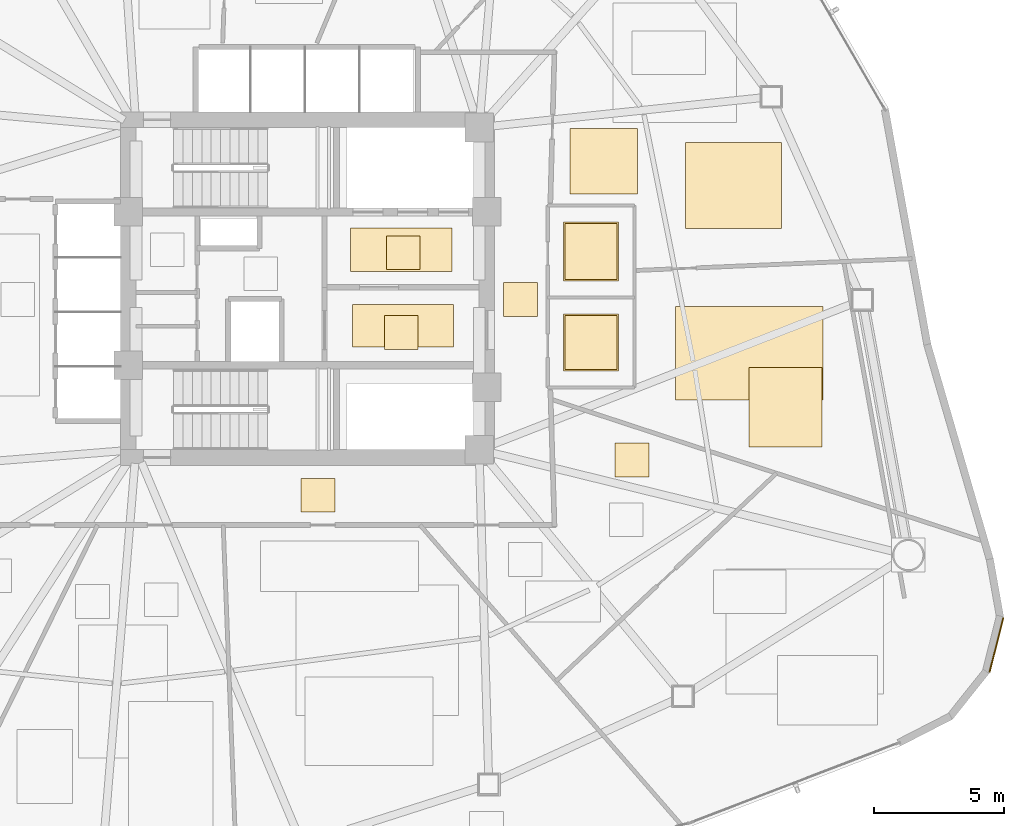
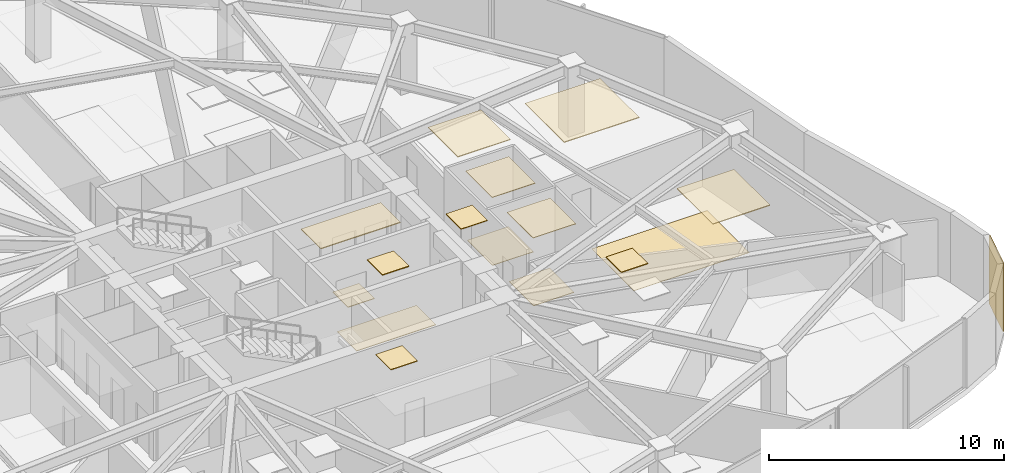
# One storey, part 16 of 17: 16 coverings.
"""IFC4 building model written with IfcOpenShell, lengths in metres."""

from ifc_helpers import new_model, si_unit, direction, frame, origin, origin_2d, place, context, subcontext, project, spatial, polyline, rectangle, outline, extrude, material, layer, layer_set, type_object, element, save


model = new_model("IFC4")

# Units and contexts
model_context = context("Model", 3, precision=1e-05, world=origin(), true_north=direction((0.0, 1.0)))
body_context = subcontext(model_context, "Body", "Model", "MODEL_VIEW")
ifc_project = project(units=[si_unit("LENGTHUNIT", "METRE"), si_unit("AREAUNIT", "SQUARE_METRE"), si_unit("VOLUMEUNIT", "CUBIC_METRE"), si_unit("PLANEANGLEUNIT", "RADIAN"), si_unit("MASSUNIT", "GRAM", prefix="KILO")], contexts=[model_context])

# Site, building, storey
site_placement = place(None, origin())
site = spatial("IfcSite", under=ifc_project, at=site_placement, CompositionType="ELEMENT")
building_placement = place(site_placement, origin())
building = spatial("IfcBuilding", under=site, at=building_placement, Name="Tavelor Broadcast Tower", CompositionType="ELEMENT")
storey_placement = place(building_placement, frame((0.0, 0.0, 39.300048828125)))
storey = spatial("IfcBuildingStorey", under=building, at=storey_placement, Name="L08", CompositionType="ELEMENT", Elevation=39.300048828125)

# Coverings
ifc_material_1 = material(Name="Copper-Bronze Anodized Aluminium", Category="aluminium")
ifc_layer_1 = layer(ifc_material_1, 0.044921875)
ifc_layer_set_1 = layer_set([ifc_layer_1], Name="Copper-Bronze Anodized Aluminium")
covering_type_1 = type_object("IfcCoveringType", Name="Anodised Bronze Linear Slatted Concourse Ceiling 45 mm", PredefinedType="CEILING", material=ifc_layer_set_1)
covering_1_placement = place(storey_placement, frame((0.0, 0.0, 3.554931640625)))
element("IfcCovering", 1, at=covering_1_placement, inside=storey, type_object=covering_type_1, Name="L08 Suspended Acoustic Ceiling 0251", PredefinedType="CEILING", context=body_context, shape_type="SweptSolid", body=[
    extrude(outline(polyline([(51.659912109375, 45.654296875), (55.55712890625, 45.654296875), (55.55712890625, 47.331787109375), (51.659912109375, 47.331787109375), (51.659912109375, 45.654296875)])), origin(), (0.0, 0.0, 1.0), 0.044921875),
])
covering_2_placement = place(storey_placement, frame((0.0, 0.0, 3.554931640625)))
element("IfcCovering", 2, at=covering_2_placement, inside=storey, type_object=covering_type_1, Name="L08 Suspended Acoustic Ceiling 0252", PredefinedType="CEILING", context=body_context, shape_type="SweptSolid", body=[
    extrude(outline(polyline([(52.95361328125, 42.656982421875), (54.25341796875, 42.656982421875), (54.25341796875, 43.95703125), (52.95361328125, 43.95703125), (52.95361328125, 42.656982421875)])), origin(), (0.0, 0.0, 1.0), 0.044921875),
])
ifc_layer_2 = layer(ifc_material_1, 0.050048828125)
ifc_layer_set_2 = layer_set([ifc_layer_2], Name="Copper-Bronze Anodized Aluminium")
covering_type_2 = type_object("IfcCoveringType", Name="Champagne-Bronze Corner Pier Metal Cladding 50 mm", PredefinedType="CLADDING", material=ifc_layer_set_2)
covering_3_placement = place(storey_placement, frame((76.508056640625, 31.287353515625, 0.02001953125), z_axis=(0.0, 0.0, 1.0), x_axis=(0.246153293029, 0.969230909707, 0.0)))
element("IfcCovering", 3, at=covering_3_placement, inside=storey, type_object=covering_type_2, Name="L08 Champagne-Bronze Corner Cladding 23", PredefinedType="CLADDING", context=body_context, shape_type="SweptSolid", body=[
    extrude(rectangle(XDim=2.15966796875, YDim=0.050048828125, at=origin_2d()), origin(), (0.0, 0.0, 1.0), 3.56005859375),
])
ifc_material_2 = material(Name="Architectural Anodized Aluminium", Category="aluminium")
ifc_layer_3 = layer(ifc_material_2, 0.034912109375)
ifc_layer_set_3 = layer_set([ifc_layer_3], Name="Architectural Anodized Aluminium")
covering_type_3 = type_object("IfcCoveringType", Name="Demountable Metal Tile Corridor Ceiling 35 mm", PredefinedType="CEILING", material=ifc_layer_set_3)
covering_4_placement = place(storey_placement, frame((0.0, 0.0, 3.56494140625)))
element("IfcCovering", 4, at=covering_4_placement, inside=storey, type_object=covering_type_3, Name="L08 Suspended Acoustic Ceiling 0255", PredefinedType="CEILING", context=body_context, shape_type="SweptSolid", body=[
    extrude(outline(polyline([(57.5400390625, 43.925048828125), (58.840087890625, 43.925048828125), (58.840087890625, 45.22509765625), (57.5400390625, 45.22509765625), (57.5400390625, 43.925048828125)])), origin(), (0.0, 0.0, 1.0), 0.034912109375),
])
covering_5_placement = place(storey_placement, frame((0.0, 0.0, 3.56494140625)))
element("IfcCovering", 5, at=covering_5_placement, inside=storey, type_object=covering_type_3, Name="L08 Suspended Acoustic Ceiling 0256", PredefinedType="CEILING", context=body_context, shape_type="SweptSolid", body=[
    extrude(outline(polyline([(49.75244140625, 36.39990234375), (51.052490234375, 36.39990234375), (51.052490234375, 37.699951171875), (49.75244140625, 37.699951171875), (49.75244140625, 36.39990234375)])), origin(), (0.0, 0.0, 1.0), 0.034912109375),
])
ifc_material_3 = material(Name="Acoustic Nylon Carpet Tile")
ifc_layer_4 = layer(ifc_material_3, 0.02001953125)
ifc_layer_set_4 = layer_set([ifc_layer_4], Name="Acoustic Nylon Carpet Tile")
covering_type_4 = type_object("IfcCoveringType", Name="Heavy-Duty Acoustic Broadcast Carpet Tile 20 mm", PredefinedType="FLOORING", material=ifc_layer_set_4)
covering_6_placement = place(storey_placement, origin())
element("IfcCovering", 6, at=covering_6_placement, inside=storey, type_object=covering_type_4, Name="L08 Broadcast Floor Finish 0098", PredefinedType="FLOORING", context=body_context, shape_type="SweptSolid", body=[
    extrude(outline(polyline([(64.165283203125, 40.72021484375), (69.82861328125, 40.72021484375), (69.82861328125, 44.306640625), (64.165283203125, 44.306640625), (64.165283203125, 40.72021484375)])), origin(), (0.0, 0.0, 1.0), 0.02001953125),
])
ifc_material_4 = material(Name="Honed Natural Limestone Tile", Category="masonry")
ifc_layer_5 = layer(ifc_material_4, 0.030029296875)
ifc_layer_set_5 = layer_set([ifc_layer_5], Name="Honed Natural Limestone Tile")
covering_type_5 = type_object("IfcCoveringType", Name="Honed Jerusalem Limestone Concourse Flooring 30 mm", PredefinedType="FLOORING", material=ifc_layer_set_5)
covering_7_placement = place(storey_placement, origin())
element("IfcCovering", 7, at=covering_7_placement, inside=storey, type_object=covering_type_5, Name="L08 Broadcast Floor Finish 0084", PredefinedType="FLOORING", context=body_context, shape_type="SweptSolid", body=[
    extrude(outline(polyline([(53.030029296875, 45.728515625), (54.330078125, 45.728515625), (54.330078125, 47.028564453125), (53.030029296875, 47.028564453125), (53.030029296875, 45.728515625)])), origin(), (0.0, 0.0, 1.0), 0.030029296875),
])
covering_8_placement = place(storey_placement, origin())
element("IfcCovering", 8, at=covering_8_placement, inside=storey, type_object=covering_type_5, Name="L08 Broadcast Floor Finish 0085", PredefinedType="FLOORING", context=body_context, shape_type="SweptSolid", body=[
    extrude(outline(polyline([(51.728759765625, 42.743408203125), (55.62109375, 42.743408203125), (55.62109375, 44.396484375), (51.728759765625, 44.396484375), (51.728759765625, 42.743408203125)])), origin(), (0.0, 0.0, 1.0), 0.030029296875),
])
ifc_layer_6 = layer(ifc_material_2, 0.030029296875)
ifc_layer_set_6 = layer_set([ifc_layer_6], Name="Architectural Anodized Aluminium")
covering_type_6 = type_object("IfcCoveringType", Name="Moisture-Resistant Washroom Ceiling 30 mm", PredefinedType="CEILING", material=ifc_layer_set_6)
covering_9_placement = place(storey_placement, frame((0.0, 0.0, 3.570068359375)))
element("IfcCovering", 9, at=covering_9_placement, inside=storey, type_object=covering_type_6, Name="L08 Suspended Acoustic Ceiling 0258", PredefinedType="CEILING", context=body_context, shape_type="SweptSolid", body=[
    extrude(outline(polyline([(59.85302734375, 41.828369140625), (61.967041015625, 41.828369140625), (61.967041015625, 44.021484375), (59.85302734375, 44.021484375), (59.85302734375, 41.828369140625)])), origin(), (0.0, 0.0, 1.0), 0.02978515625),
])
covering_10_placement = place(storey_placement, frame((0.0, 0.0, 3.570068359375)))
element("IfcCovering", 10, at=covering_10_placement, inside=storey, type_object=covering_type_6, Name="L08 Suspended Acoustic Ceiling 0259", PredefinedType="CEILING", context=body_context, shape_type="SweptSolid", body=[
    extrude(outline(polyline([(59.85302734375, 45.29248046875), (61.967041015625, 45.29248046875), (61.967041015625, 47.5576171875), (59.85302734375, 47.5576171875), (59.85302734375, 45.29248046875)])), origin(), (0.0, 0.0, 1.0), 0.02978515625),
])
ifc_material_5 = material(Name="Slip-Resistant Porcelain Tile")
ifc_layer_7 = layer(ifc_material_5, 0.02490234375)
ifc_layer_set_7 = layer_set([ifc_layer_7], Name="Slip-Resistant Porcelain Tile")
covering_type_7 = type_object("IfcCoveringType", Name="Slip-Resistant Porcelain Wet-Area Floor Tile 25 mm", PredefinedType="FLOORING", material=ifc_layer_set_7)
covering_11_placement = place(storey_placement, origin())
element("IfcCovering", 11, at=covering_11_placement, inside=storey, type_object=covering_type_7, Name="L08 Broadcast Floor Finish 0087", PredefinedType="FLOORING", context=body_context, shape_type="SweptSolid", body=[
    extrude(outline(polyline([(59.91064453125, 41.885986328125), (61.909423828125, 41.885986328125), (61.909423828125, 43.964111328125), (59.91064453125, 43.964111328125), (59.91064453125, 41.885986328125)])), origin(), (0.0, 0.0, 1.0), 0.02490234375),
])
covering_12_placement = place(storey_placement, origin())
element("IfcCovering", 12, at=covering_12_placement, inside=storey, type_object=covering_type_7, Name="L08 Broadcast Floor Finish 0088", PredefinedType="FLOORING", context=body_context, shape_type="SweptSolid", body=[
    extrude(outline(polyline([(59.91064453125, 45.35009765625), (61.909423828125, 45.35009765625), (61.909423828125, 47.5), (59.91064453125, 47.5), (59.91064453125, 45.35009765625)])), origin(), (0.0, 0.0, 1.0), 0.02490234375),
])
ifc_material_6 = material(Name="Acoustic Mineral Fibre Tile")
ifc_layer_8 = layer(ifc_material_6, 0.0400390625)
ifc_layer_set_8 = layer_set([ifc_layer_8], Name="Acoustic Mineral Fibre Tile")
covering_type_8 = type_object("IfcCoveringType", Name="Suspended Acoustic Mineral-Fibre Office Ceiling 40 mm", PredefinedType="CEILING", material=ifc_layer_set_8)
covering_13_placement = place(storey_placement, frame((0.0, 0.0, 3.56005859375)))
element("IfcCovering", 13, at=covering_13_placement, inside=storey, type_object=covering_type_8, Name="L08 Suspended Acoustic Ceiling 0287", PredefinedType="CEILING", context=body_context, shape_type="SweptSolid", body=[
    extrude(outline(polyline([(64.5498046875, 47.30810546875), (68.232666015625, 47.30810546875), (68.232666015625, 50.63037109375), (64.5498046875, 50.63037109375), (64.5498046875, 47.30810546875)])), origin(), (0.0, 0.0, 1.0), 0.039794921875),
])
covering_14_placement = place(storey_placement, frame((0.0, 0.0, 3.56005859375)))
element("IfcCovering", 14, at=covering_14_placement, inside=storey, type_object=covering_type_8, Name="L08 Suspended Acoustic Ceiling 0288", PredefinedType="CEILING", context=body_context, shape_type="SweptSolid", body=[
    extrude(outline(polyline([(60.096923828125, 48.63232421875), (62.6875, 48.63232421875), (62.6875, 51.151611328125), (60.096923828125, 51.151611328125), (60.096923828125, 48.63232421875)])), origin(), (0.0, 0.0, 1.0), 0.039794921875),
])
covering_15_placement = place(storey_placement, frame((0.0, 0.0, 3.56005859375)))
element("IfcCovering", 15, at=covering_15_placement, inside=storey, type_object=covering_type_8, Name="L08 Suspended Acoustic Ceiling 0290", PredefinedType="CEILING", context=body_context, shape_type="SweptSolid", body=[
    extrude(outline(polyline([(66.98828125, 38.902099609375), (69.79541015625, 38.902099609375), (69.79541015625, 41.954833984375), (66.98828125, 41.954833984375), (66.98828125, 38.902099609375)])), origin(), (0.0, 0.0, 1.0), 0.039794921875),
])
covering_16_placement = place(storey_placement, frame((0.0, 0.0, 3.56005859375)))
element("IfcCovering", 16, at=covering_16_placement, inside=storey, type_object=covering_type_8, Name="L08 Suspended Acoustic Ceiling 0294", PredefinedType="CEILING", context=body_context, shape_type="SweptSolid", body=[
    extrude(outline(polyline([(61.83837890625, 37.756591796875), (63.138427734375, 37.756591796875), (63.138427734375, 39.056396484375), (61.83837890625, 39.056396484375), (61.83837890625, 37.756591796875)])), origin(), (0.0, 0.0, 1.0), 0.039794921875),
])

save(model, "model.ifc")
